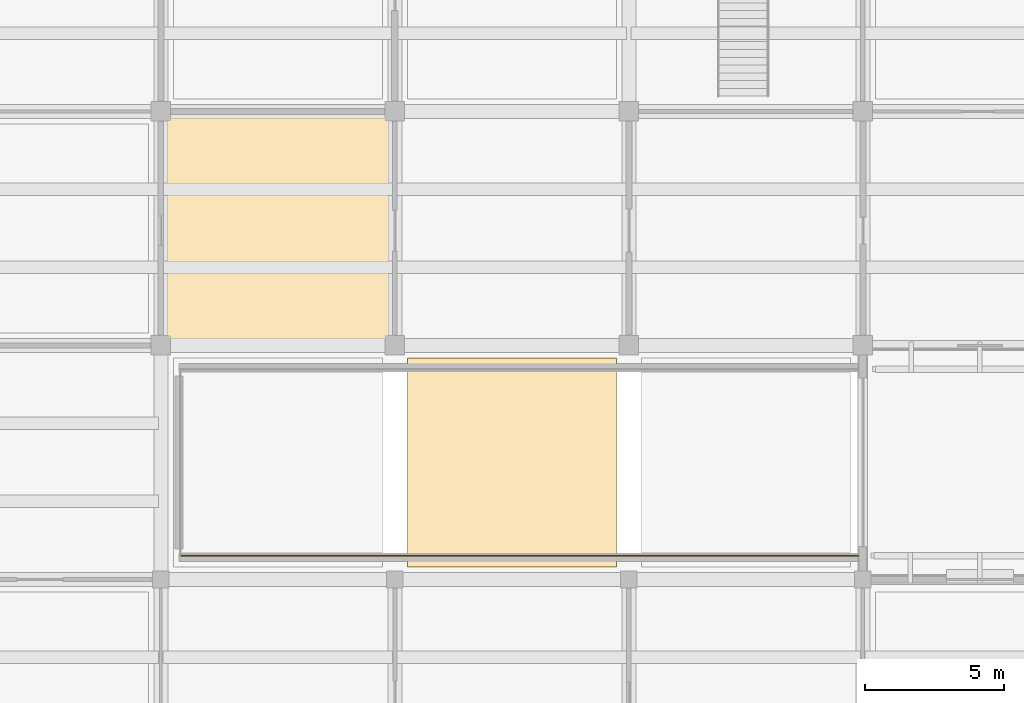
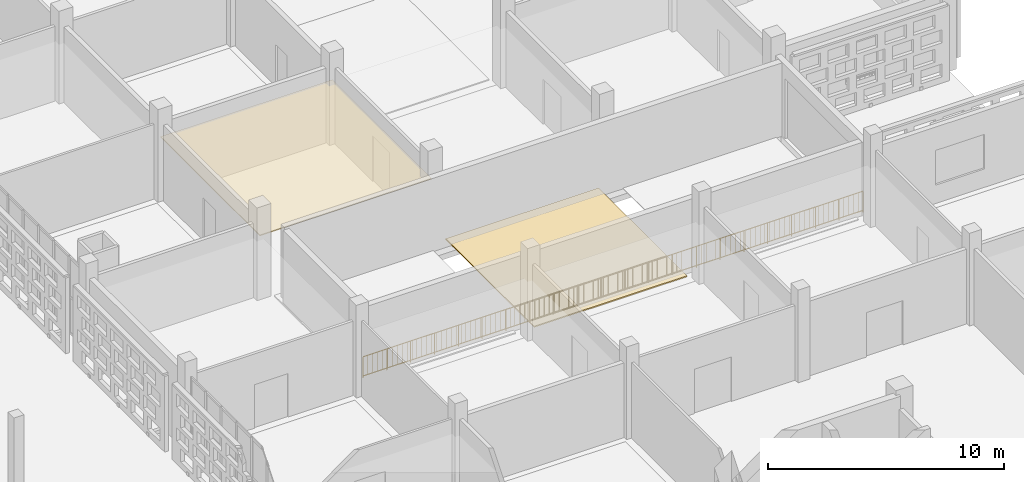
# One storey, part 118 of 129: 2 coverings, 1 railing.
"""IFC4 building model written with IfcOpenShell, lengths in metres."""

import ifcopenshell
import ifcopenshell.guid

model = None  # the IFC model being written
_history = None  # IfcOwnerHistory: only IFC2X3 demands one
_inside = {}  # id of a spatial element -> (the spatial element, [elements in it])
_under = {}  # id of a project, library or spatial element -> (it, [spatial elements below it])
_declared = {}  # id of a project -> (the project, [libraries it declares])
_typed = {}  # id of a type object -> (the type object, [elements of that type])
_made_of = {}  # id of a material, layer set ... -> (it, [elements and type objects made of it])


def new_model(schema):
    """Start an empty IFC model of exactly this schema.

    Asked for "IFC4X3", IfcOpenShell would pick the latest addendum, in which some entities
    have other attributes; the version numbers below select the first issue.
    IFC2X3 requires an IfcOwnerHistory on every rooted entity: one is made here for all.
    """
    global model, _history
    if schema == "IFC4X3":
        model = ifcopenshell.file(schema_version=(4, 3, 0, 0))
    else:
        model = ifcopenshell.file(schema=schema)
    _inside.clear()
    _under.clear()
    _declared.clear()
    _typed.clear()
    _made_of.clear()
    _history = None
    if model.schema == "IFC2X3":
        org = make("IfcOrganization", Name="unknown")
        user = make(
            "IfcPersonAndOrganization",
            ThePerson=make("IfcPerson", FamilyName="unknown"),
            TheOrganization=org,
        )
        app = make(
            "IfcApplication",
            ApplicationDeveloper=org,
            Version="unknown",
            ApplicationFullName="unknown",
            ApplicationIdentifier="unknown",
        )
        _history = make(
            "IfcOwnerHistory",
            OwningUser=user,
            OwningApplication=app,
            ChangeAction="ADDED",
            CreationDate=0,
        )
    return model


def make(cls, **values):
    """One entity of the class cls with the attributes given. An attribute that is None is left unset."""
    return model.create_entity(
        cls, **{name: value for name, value in values.items() if value is not None}
    )


def rooted(cls, **values):
    """An entity with a GlobalId (a new one), such as an element, a storey or a relation."""
    return make(cls, GlobalId=ifcopenshell.guid.new(), OwnerHistory=_history, **values)


def si_unit(unit_type, name, prefix=None):
    """IfcSIUnit, for example si_unit("LENGTHUNIT", "METRE", prefix="MILLI")."""
    return make("IfcSIUnit", UnitType=unit_type, Prefix=prefix, Name=name)


def assignment(units):
    """IfcUnitAssignment: the units of a project."""
    return None if units is None else make("IfcUnitAssignment", Units=units)


def point(xyz):
    """IfcCartesianPoint."""
    return None if xyz is None else make("IfcCartesianPoint", Coordinates=xyz)


def direction(xyz):
    """IfcDirection."""
    return None if xyz is None else make("IfcDirection", DirectionRatios=xyz)


def frame(location, z_axis=None, x_axis=None):
    """IfcAxis2Placement3D, a coordinate frame: its origin and axes. An axis left out is left unset."""
    return make(
        "IfcAxis2Placement3D",
        Location=point(location),
        Axis=direction(z_axis),
        RefDirection=direction(x_axis),
    )


def frame_2d(location, x_axis=None):
    """IfcAxis2Placement2D, a coordinate frame in the plane: its origin and x axis."""
    return make(
        "IfcAxis2Placement2D", Location=point(location), RefDirection=direction(x_axis)
    )


def origin():
    """The frame at (0, 0, 0) with its axes left unset."""
    return frame((0.0, 0.0, 0.0))


def origin_2d():
    """The frame at (0, 0) in the plane with its x axis left unset."""
    return frame_2d((0.0, 0.0))


def place(relative_to, where):
    """IfcLocalPlacement: puts the frame where relative to a parent placement (None: the world)."""
    return make(
        "IfcLocalPlacement", PlacementRelTo=relative_to, RelativePlacement=where
    )


def context(
    kind, dimensions, precision=None, world=None, true_north=None, identifier=None
):
    """IfcGeometricRepresentationContext, for example the 3D "Model" context."""
    return make(
        "IfcGeometricRepresentationContext",
        ContextIdentifier=identifier,
        ContextType=kind,
        CoordinateSpaceDimension=dimensions,
        Precision=precision,
        WorldCoordinateSystem=world,
        TrueNorth=true_north,
    )


def subcontext(parent, identifier, kind, view, scale=None):
    """IfcGeometricRepresentationSubContext, for example "Body" below "Model"."""
    return make(
        "IfcGeometricRepresentationSubContext",
        ContextIdentifier=identifier,
        ContextType=kind,
        ParentContext=parent,
        TargetScale=scale,
        TargetView=view,
    )


def project(units=None, contexts=None):
    """IfcProject with its units and contexts."""
    return rooted(
        "IfcProject",
        Name="project",
        RepresentationContexts=contexts,
        UnitsInContext=assignment(units),
    )


def spatial(cls, under=None, at=None, **own):
    """A site, building, storey or space (cls), placed at a placement, below another one or the project."""
    s = rooted(cls, ObjectPlacement=at, **own)
    if under is not None:
        _under.setdefault(under.id(), (under, []))[1].append(s)
    return s


def profile(cls, at=None, kind="AREA", **sizes):
    """A parametric profile (cls). Its sizes go by their IFC names, for example OverallWidth=200.0."""
    return make(cls, ProfileType=kind, Position=at, **sizes)


def rectangle(**sizes):
    """IfcRectangleProfileDef."""
    return profile("IfcRectangleProfileDef", **sizes)


def circle(**sizes):
    """IfcCircleProfileDef."""
    return profile("IfcCircleProfileDef", **sizes)


def extrude(swept, where, along, depth):
    """IfcExtrudedAreaSolid: the profile swept, set in the frame where, extruded along a direction by depth."""
    return make(
        "IfcExtrudedAreaSolid",
        SweptArea=swept,
        Position=where,
        ExtrudedDirection=direction(along),
        Depth=depth,
    )


def shape(context_of_items, identifier, shape_type, items):
    """IfcShapeRepresentation: the items that make up one representation, for example the "Body"."""
    return make(
        "IfcShapeRepresentation",
        ContextOfItems=context_of_items,
        RepresentationIdentifier=identifier,
        RepresentationType=shape_type,
        Items=items,
    )


def material(Name=None, Category=None):
    """IfcMaterial."""
    return make("IfcMaterial", Name=Name, Category=Category)


def layer(
    of_material, thickness, ventilated=None, Name=None, Category=None, Priority=None
):
    """IfcMaterialLayer: one layer of a wall or slab, of a material (None: an air gap)."""
    return make(
        "IfcMaterialLayer",
        Material=of_material,
        LayerThickness=thickness,
        IsVentilated=ventilated,
        Name=Name,
        Category=Category,
        Priority=Priority,
    )


def layer_set(layers, Name=None):
    """IfcMaterialLayerSet."""
    return make("IfcMaterialLayerSet", MaterialLayers=layers, LayerSetName=Name)


def made_of(thing, what):
    """Note that an element or type object is made of a material, layer set ...; save() writes the relation."""
    if what is not None:
        _made_of.setdefault(what.id(), (what, []))[1].append(thing)
    return thing


def type_object(cls, material=None, **own):
    """A type object (cls), such as IfcWallType, which elements share."""
    return made_of(rooted(cls, **own), material)


def element(
    cls,
    number,
    at=None,
    inside=None,
    cuts=None,
    type_object=None,
    material=None,
    context=None,
    identifier="Body",
    shape_type=None,
    held_by="IfcProductDefinitionShape",
    body=None,
    shapes=None,
    **own,
):
    """One element of the class cls, such as IfcWall. Its Tag is "e" and its number.

    at: its placement. inside: the storey or other place that contains it. cuts: it is an
    opening in that element (IfcRelVoidsElement). A single representation is given by context,
    identifier, shape_type and body (its items); several are given by shapes. held_by: the class
    of the entity that holds the representations. save() writes the other relations.
    """
    e = rooted(cls, Tag="e%d" % number, ObjectPlacement=at, **own)
    if body is not None:
        shapes = [shape(context, identifier, shape_type, body)]
    if shapes is not None:
        e.Representation = make(held_by, Representations=shapes)
    if inside is not None:
        _inside.setdefault(inside.id(), (inside, []))[1].append(e)
    if cuts is not None:
        rooted(
            "IfcRelVoidsElement", RelatingBuildingElement=cuts, RelatedOpeningElement=e
        )
    if type_object is not None:
        _typed.setdefault(type_object.id(), (type_object, []))[1].append(e)
    return made_of(e, material)


def aggregate(whole, parts):
    """IfcRelAggregates: a whole, such as a stair, and the parts it consists of."""
    return rooted("IfcRelAggregates", RelatingObject=whole, RelatedObjects=parts)


def save(model, path):
    """Write the relations noted so far, then the file.

    IfcRelAggregates (storeys below a building ...), IfcRelContainedInSpatialStructure (elements
    in a storey), IfcRelDefinesByType, IfcRelAssociatesMaterial and IfcRelDeclares: one each for
    every whole, place, type object, material and project.
    """
    for whole, parts in _under.values():
        aggregate(whole, parts)
    for where, things in _inside.values():
        rooted(
            "IfcRelContainedInSpatialStructure",
            RelatedElements=things,
            RelatingStructure=where,
        )
    for kind, things in _typed.values():
        rooted("IfcRelDefinesByType", RelatedObjects=things, RelatingType=kind)
    for what, things in _made_of.values():
        rooted("IfcRelAssociatesMaterial", RelatedObjects=things, RelatingMaterial=what)
    for by, libraries in _declared.values():
        rooted("IfcRelDeclares", RelatingContext=by, RelatedDefinitions=libraries)
    model.write(path)


model = new_model("IFC4")

# Units and contexts
model_context = context("Model", 3, precision=1e-05, world=origin(), true_north=direction((0.0, 1.0)))
body_context = subcontext(model_context, "Body", "Model", "MODEL_VIEW")
ifc_project = project(units=[si_unit("LENGTHUNIT", "METRE"), si_unit("AREAUNIT", "SQUARE_METRE"), si_unit("VOLUMEUNIT", "CUBIC_METRE"), si_unit("PLANEANGLEUNIT", "RADIAN"), si_unit("MASSUNIT", "GRAM", prefix="KILO")], contexts=[model_context])

# Site, building, storey
site_placement = place(None, origin())
site = spatial("IfcSite", under=ifc_project, at=site_placement, CompositionType="ELEMENT")
building_placement = place(site_placement, origin())
building = spatial("IfcBuilding", under=site, at=building_placement, Name="Varnapada Polytechnic", CompositionType="ELEMENT")
storey_placement = place(building_placement, origin())
storey = spatial("IfcBuildingStorey", under=building, at=storey_placement, Name="L00", CompositionType="ELEMENT", Elevation=0.0)

# Coverings
ifc_material_1 = material(Name="Anti-Static Raised Laboratory Flooring")
ifc_layer_1 = layer(ifc_material_1, 0.06005859375)
ifc_layer_set_1 = layer_set([ifc_layer_1], Name="Anti-Static Raised Laboratory Flooring")
covering_type_1 = type_object("IfcCoveringType", Name="Floor Finish FLR-02", PredefinedType="FLOORING", material=ifc_layer_set_1)
covering_1_placement = place(storey_placement, frame((155.39990234375, 54.60009765625, 0.0), z_axis=(0.0, 0.0, 1.0), x_axis=(1.0, 0.0, 0.0)))
element("IfcCovering", 1, at=covering_1_placement, inside=storey, type_object=covering_type_1, Name="L00 floor finish panel (19,7)", PredefinedType="FLOORING", context=body_context, shape_type="SweptSolid", body=[
    extrude(rectangle(XDim=7.5, YDim=7.5, at=origin_2d()), origin(), (0.0, 0.0, 1.0), 0.06005859375),
])
ifc_material_2 = material(Name="Perforated Timber Slatted Baffle Ceiling", Category="wood")
ifc_layer_2 = layer(ifc_material_2, 0.050048828125)
ifc_layer_set_2 = layer_set([ifc_layer_2], Name="Perforated Timber Slatted Baffle Ceiling")
covering_type_2 = type_object("IfcCoveringType", Name="Suspended Ceiling CLG-02", PredefinedType="CEILING", material=ifc_layer_set_2)
covering_2_placement = place(storey_placement, frame((147.0, 63.0, 3.02490234375), z_axis=(0.0, 0.0, 1.0), x_axis=(1.0, 0.0, 0.0)))
element("IfcCovering", 2, at=covering_2_placement, inside=storey, type_object=covering_type_2, Name="L00 suspended acoustic ceiling (18,8)", PredefinedType="CEILING", context=body_context, shape_type="SweptSolid", body=[
    extrude(rectangle(XDim=8.419921875, YDim=8.419921875, at=origin_2d()), origin(), (0.0, 0.0, 1.0), 0.050048828125),
])

# Railing
ifc_material_3 = material(Name="Painted galvanized steel", Category="steel")
railing_type = type_object("IfcRailingType", Name="Terrace Guard Rail GRD-01", PredefinedType="BALUSTRADE", material=ifc_material_3)
railing_placement = place(storey_placement, frame((143.5, 51.25, 0.0)))
element("IfcRailing", 3, at=railing_placement, inside=storey, type_object=railing_type, Name="L00 vehicle ramp well guard 1", PredefinedType="BALUSTRADE", context=body_context, shape_type="SweptSolid", body=[
    extrude(circle(Radius=0.02392578125, at=origin_2d()), frame((0.0, 0.0, 1.09619140625), z_axis=(1.0, 0.0, 0.0), x_axis=(0.0, 1.0, 0.0)), (0.0, 0.0, 1.0), 24.5),
    extrude(circle(Radius=0.02392578125, at=origin_2d()), frame((0.0, 0.0, 0.10009765625), z_axis=(1.0, 0.0, 0.0), x_axis=(0.0, 1.0, 0.0)), (0.0, 0.0, 1.0), 24.5),
    extrude(circle(Radius=0.02099609375, at=origin_2d()), origin(), (0.0, 0.0, 1.0), 1.072021484375),
    extrude(circle(Radius=0.02099609375, at=origin_2d()), frame((1.166748046875, 0.0, 0.0)), (0.0, 0.0, 1.0), 1.072021484375),
    extrude(circle(Radius=0.02099609375, at=origin_2d()), frame((2.333251953125, 0.0, 0.0)), (0.0, 0.0, 1.0), 1.072021484375),
    extrude(circle(Radius=0.02099609375, at=origin_2d()), frame((3.5, 0.0, 0.0)), (0.0, 0.0, 1.0), 1.072021484375),
    extrude(circle(Radius=0.02099609375, at=origin_2d()), frame((4.666748046875, 0.0, 0.0)), (0.0, 0.0, 1.0), 1.072021484375),
    extrude(circle(Radius=0.02099609375, at=origin_2d()), frame((5.833251953125, 0.0, 0.0)), (0.0, 0.0, 1.0), 1.072021484375),
    extrude(circle(Radius=0.02099609375, at=origin_2d()), frame((7.0, 0.0, 0.0)), (0.0, 0.0, 1.0), 1.072021484375),
    extrude(circle(Radius=0.02099609375, at=origin_2d()), frame((8.166748046875, 0.0, 0.0)), (0.0, 0.0, 1.0), 1.072021484375),
    extrude(circle(Radius=0.02099609375, at=origin_2d()), frame((9.333251953125, 0.0, 0.0)), (0.0, 0.0, 1.0), 1.072021484375),
    extrude(circle(Radius=0.02099609375, at=origin_2d()), frame((10.5, 0.0, 0.0)), (0.0, 0.0, 1.0), 1.072021484375),
    extrude(circle(Radius=0.02099609375, at=origin_2d()), frame((11.666748046875, 0.0, 0.0)), (0.0, 0.0, 1.0), 1.072021484375),
    extrude(circle(Radius=0.02099609375, at=origin_2d()), frame((12.833251953125, 0.0, 0.0)), (0.0, 0.0, 1.0), 1.072021484375),
    extrude(circle(Radius=0.02099609375, at=origin_2d()), frame((14.0, 0.0, 0.0)), (0.0, 0.0, 1.0), 1.072021484375),
    extrude(circle(Radius=0.02099609375, at=origin_2d()), frame((15.166748046875, 0.0, 0.0)), (0.0, 0.0, 1.0), 1.072021484375),
    extrude(circle(Radius=0.02099609375, at=origin_2d()), frame((16.333251953125, 0.0, 0.0)), (0.0, 0.0, 1.0), 1.072021484375),
    extrude(circle(Radius=0.02099609375, at=origin_2d()), frame((17.5, 0.0, 0.0)), (0.0, 0.0, 1.0), 1.072021484375),
    extrude(circle(Radius=0.02099609375, at=origin_2d()), frame((18.666748046875, 0.0, 0.0)), (0.0, 0.0, 1.0), 1.072021484375),
    extrude(circle(Radius=0.02099609375, at=origin_2d()), frame((19.833251953125, 0.0, 0.0)), (0.0, 0.0, 1.0), 1.072021484375),
    extrude(circle(Radius=0.02099609375, at=origin_2d()), frame((21.0, 0.0, 0.0)), (0.0, 0.0, 1.0), 1.072021484375),
    extrude(circle(Radius=0.02099609375, at=origin_2d()), frame((22.166748046875, 0.0, 0.0)), (0.0, 0.0, 1.0), 1.072021484375),
    extrude(circle(Radius=0.02099609375, at=origin_2d()), frame((23.333251953125, 0.0, 0.0)), (0.0, 0.0, 1.0), 1.072021484375),
    extrude(circle(Radius=0.02099609375, at=origin_2d()), frame((24.5, 0.0, 0.0)), (0.0, 0.0, 1.0), 1.072021484375),
    extrude(circle(Radius=0.010009765625, at=origin_2d()), frame((0.240234375, 0.0, 0.10009765625)), (0.0, 0.0, 1.0), 0.971923828125),
    extrude(circle(Radius=0.010009765625, at=origin_2d()), frame((0.48046875, 0.0, 0.10009765625)), (0.0, 0.0, 1.0), 0.971923828125),
    extrude(circle(Radius=0.010009765625, at=origin_2d()), frame((0.720703125, 0.0, 0.10009765625)), (0.0, 0.0, 1.0), 0.971923828125),
    extrude(circle(Radius=0.010009765625, at=origin_2d()), frame((0.960693359375, 0.0, 0.10009765625)), (0.0, 0.0, 1.0), 0.971923828125),
    extrude(circle(Radius=0.010009765625, at=origin_2d()), frame((1.200927734375, 0.0, 0.10009765625)), (0.0, 0.0, 1.0), 0.971923828125),
    extrude(circle(Radius=0.010009765625, at=origin_2d()), frame((1.441162109375, 0.0, 0.10009765625)), (0.0, 0.0, 1.0), 0.971923828125),
    extrude(circle(Radius=0.010009765625, at=origin_2d()), frame((1.681396484375, 0.0, 0.10009765625)), (0.0, 0.0, 1.0), 0.971923828125),
    extrude(circle(Radius=0.010009765625, at=origin_2d()), frame((1.921630859375, 0.0, 0.10009765625)), (0.0, 0.0, 1.0), 0.971923828125),
    extrude(circle(Radius=0.010009765625, at=origin_2d()), frame((2.161865234375, 0.0, 0.10009765625)), (0.0, 0.0, 1.0), 0.971923828125),
    extrude(circle(Radius=0.010009765625, at=origin_2d()), frame((2.40185546875, 0.0, 0.10009765625)), (0.0, 0.0, 1.0), 0.971923828125),
    extrude(circle(Radius=0.010009765625, at=origin_2d()), frame((2.64208984375, 0.0, 0.10009765625)), (0.0, 0.0, 1.0), 0.971923828125),
    extrude(circle(Radius=0.010009765625, at=origin_2d()), frame((2.88232421875, 0.0, 0.10009765625)), (0.0, 0.0, 1.0), 0.971923828125),
    extrude(circle(Radius=0.010009765625, at=origin_2d()), frame((3.12255859375, 0.0, 0.10009765625)), (0.0, 0.0, 1.0), 0.971923828125),
    extrude(circle(Radius=0.010009765625, at=origin_2d()), frame((3.36279296875, 0.0, 0.10009765625)), (0.0, 0.0, 1.0), 0.971923828125),
    extrude(circle(Radius=0.010009765625, at=origin_2d()), frame((3.60302734375, 0.0, 0.10009765625)), (0.0, 0.0, 1.0), 0.971923828125),
    extrude(circle(Radius=0.010009765625, at=origin_2d()), frame((3.843017578125, 0.0, 0.10009765625)), (0.0, 0.0, 1.0), 0.971923828125),
    extrude(circle(Radius=0.010009765625, at=origin_2d()), frame((4.083251953125, 0.0, 0.10009765625)), (0.0, 0.0, 1.0), 0.971923828125),
    extrude(circle(Radius=0.010009765625, at=origin_2d()), frame((4.323486328125, 0.0, 0.10009765625)), (0.0, 0.0, 1.0), 0.971923828125),
    extrude(circle(Radius=0.010009765625, at=origin_2d()), frame((4.563720703125, 0.0, 0.10009765625)), (0.0, 0.0, 1.0), 0.971923828125),
    extrude(circle(Radius=0.010009765625, at=origin_2d()), frame((4.803955078125, 0.0, 0.10009765625)), (0.0, 0.0, 1.0), 0.971923828125),
    extrude(circle(Radius=0.010009765625, at=origin_2d()), frame((5.044189453125, 0.0, 0.10009765625)), (0.0, 0.0, 1.0), 0.971923828125),
    extrude(circle(Radius=0.010009765625, at=origin_2d()), frame((5.284423828125, 0.0, 0.10009765625)), (0.0, 0.0, 1.0), 0.971923828125),
    extrude(circle(Radius=0.010009765625, at=origin_2d()), frame((5.5244140625, 0.0, 0.10009765625)), (0.0, 0.0, 1.0), 0.971923828125),
    extrude(circle(Radius=0.010009765625, at=origin_2d()), frame((5.7646484375, 0.0, 0.10009765625)), (0.0, 0.0, 1.0), 0.971923828125),
    extrude(circle(Radius=0.010009765625, at=origin_2d()), frame((6.0048828125, 0.0, 0.10009765625)), (0.0, 0.0, 1.0), 0.971923828125),
    extrude(circle(Radius=0.010009765625, at=origin_2d()), frame((6.2451171875, 0.0, 0.10009765625)), (0.0, 0.0, 1.0), 0.971923828125),
    extrude(circle(Radius=0.010009765625, at=origin_2d()), frame((6.4853515625, 0.0, 0.10009765625)), (0.0, 0.0, 1.0), 0.971923828125),
    extrude(circle(Radius=0.010009765625, at=origin_2d()), frame((6.7255859375, 0.0, 0.10009765625)), (0.0, 0.0, 1.0), 0.971923828125),
    extrude(circle(Radius=0.010009765625, at=origin_2d()), frame((6.965576171875, 0.0, 0.10009765625)), (0.0, 0.0, 1.0), 0.971923828125),
    extrude(circle(Radius=0.010009765625, at=origin_2d()), frame((7.205810546875, 0.0, 0.10009765625)), (0.0, 0.0, 1.0), 0.971923828125),
    extrude(circle(Radius=0.010009765625, at=origin_2d()), frame((7.446044921875, 0.0, 0.10009765625)), (0.0, 0.0, 1.0), 0.971923828125),
    extrude(circle(Radius=0.010009765625, at=origin_2d()), frame((7.686279296875, 0.0, 0.10009765625)), (0.0, 0.0, 1.0), 0.971923828125),
    extrude(circle(Radius=0.010009765625, at=origin_2d()), frame((7.926513671875, 0.0, 0.10009765625)), (0.0, 0.0, 1.0), 0.971923828125),
    extrude(circle(Radius=0.010009765625, at=origin_2d()), frame((8.166748046875, 0.0, 0.10009765625)), (0.0, 0.0, 1.0), 0.971923828125),
    extrude(circle(Radius=0.010009765625, at=origin_2d()), frame((8.406982421875, 0.0, 0.10009765625)), (0.0, 0.0, 1.0), 0.971923828125),
    extrude(circle(Radius=0.010009765625, at=origin_2d()), frame((8.64697265625, 0.0, 0.10009765625)), (0.0, 0.0, 1.0), 0.971923828125),
    extrude(circle(Radius=0.010009765625, at=origin_2d()), frame((8.88720703125, 0.0, 0.10009765625)), (0.0, 0.0, 1.0), 0.971923828125),
    extrude(circle(Radius=0.010009765625, at=origin_2d()), frame((9.12744140625, 0.0, 0.10009765625)), (0.0, 0.0, 1.0), 0.971923828125),
    extrude(circle(Radius=0.010009765625, at=origin_2d()), frame((9.36767578125, 0.0, 0.10009765625)), (0.0, 0.0, 1.0), 0.971923828125),
    extrude(circle(Radius=0.010009765625, at=origin_2d()), frame((9.60791015625, 0.0, 0.10009765625)), (0.0, 0.0, 1.0), 0.971923828125),
    extrude(circle(Radius=0.010009765625, at=origin_2d()), frame((9.84814453125, 0.0, 0.10009765625)), (0.0, 0.0, 1.0), 0.971923828125),
    extrude(circle(Radius=0.010009765625, at=origin_2d()), frame((10.088134765625, 0.0, 0.10009765625)), (0.0, 0.0, 1.0), 0.971923828125),
    extrude(circle(Radius=0.010009765625, at=origin_2d()), frame((10.328369140625, 0.0, 0.10009765625)), (0.0, 0.0, 1.0), 0.971923828125),
    extrude(circle(Radius=0.010009765625, at=origin_2d()), frame((10.568603515625, 0.0, 0.10009765625)), (0.0, 0.0, 1.0), 0.971923828125),
    extrude(circle(Radius=0.010009765625, at=origin_2d()), frame((10.808837890625, 0.0, 0.10009765625)), (0.0, 0.0, 1.0), 0.971923828125),
    extrude(circle(Radius=0.010009765625, at=origin_2d()), frame((11.049072265625, 0.0, 0.10009765625)), (0.0, 0.0, 1.0), 0.971923828125),
    extrude(circle(Radius=0.010009765625, at=origin_2d()), frame((11.289306640625, 0.0, 0.10009765625)), (0.0, 0.0, 1.0), 0.971923828125),
    extrude(circle(Radius=0.010009765625, at=origin_2d()), frame((11.529296875, 0.0, 0.10009765625)), (0.0, 0.0, 1.0), 0.971923828125),
    extrude(circle(Radius=0.010009765625, at=origin_2d()), frame((11.76953125, 0.0, 0.10009765625)), (0.0, 0.0, 1.0), 0.971923828125),
    extrude(circle(Radius=0.010009765625, at=origin_2d()), frame((12.009765625, 0.0, 0.10009765625)), (0.0, 0.0, 1.0), 0.971923828125),
    extrude(circle(Radius=0.010009765625, at=origin_2d()), frame((12.25, 0.0, 0.10009765625)), (0.0, 0.0, 1.0), 0.971923828125),
    extrude(circle(Radius=0.010009765625, at=origin_2d()), frame((12.490234375, 0.0, 0.10009765625)), (0.0, 0.0, 1.0), 0.971923828125),
    extrude(circle(Radius=0.010009765625, at=origin_2d()), frame((12.73046875, 0.0, 0.10009765625)), (0.0, 0.0, 1.0), 0.971923828125),
    extrude(circle(Radius=0.010009765625, at=origin_2d()), frame((12.970703125, 0.0, 0.10009765625)), (0.0, 0.0, 1.0), 0.971923828125),
    extrude(circle(Radius=0.010009765625, at=origin_2d()), frame((13.210693359375, 0.0, 0.10009765625)), (0.0, 0.0, 1.0), 0.971923828125),
    extrude(circle(Radius=0.010009765625, at=origin_2d()), frame((13.450927734375, 0.0, 0.10009765625)), (0.0, 0.0, 1.0), 0.971923828125),
    extrude(circle(Radius=0.010009765625, at=origin_2d()), frame((13.691162109375, 0.0, 0.10009765625)), (0.0, 0.0, 1.0), 0.971923828125),
    extrude(circle(Radius=0.010009765625, at=origin_2d()), frame((13.931396484375, 0.0, 0.10009765625)), (0.0, 0.0, 1.0), 0.971923828125),
    extrude(circle(Radius=0.010009765625, at=origin_2d()), frame((14.171630859375, 0.0, 0.10009765625)), (0.0, 0.0, 1.0), 0.971923828125),
    extrude(circle(Radius=0.010009765625, at=origin_2d()), frame((14.411865234375, 0.0, 0.10009765625)), (0.0, 0.0, 1.0), 0.971923828125),
    extrude(circle(Radius=0.010009765625, at=origin_2d()), frame((14.65185546875, 0.0, 0.10009765625)), (0.0, 0.0, 1.0), 0.971923828125),
    extrude(circle(Radius=0.010009765625, at=origin_2d()), frame((14.89208984375, 0.0, 0.10009765625)), (0.0, 0.0, 1.0), 0.971923828125),
    extrude(circle(Radius=0.010009765625, at=origin_2d()), frame((15.13232421875, 0.0, 0.10009765625)), (0.0, 0.0, 1.0), 0.971923828125),
    extrude(circle(Radius=0.010009765625, at=origin_2d()), frame((15.37255859375, 0.0, 0.10009765625)), (0.0, 0.0, 1.0), 0.971923828125),
    extrude(circle(Radius=0.010009765625, at=origin_2d()), frame((15.61279296875, 0.0, 0.10009765625)), (0.0, 0.0, 1.0), 0.971923828125),
    extrude(circle(Radius=0.010009765625, at=origin_2d()), frame((15.85302734375, 0.0, 0.10009765625)), (0.0, 0.0, 1.0), 0.971923828125),
    extrude(circle(Radius=0.010009765625, at=origin_2d()), frame((16.093017578125, 0.0, 0.10009765625)), (0.0, 0.0, 1.0), 0.971923828125),
    extrude(circle(Radius=0.010009765625, at=origin_2d()), frame((16.333251953125, 0.0, 0.10009765625)), (0.0, 0.0, 1.0), 0.971923828125),
    extrude(circle(Radius=0.010009765625, at=origin_2d()), frame((16.573486328125, 0.0, 0.10009765625)), (0.0, 0.0, 1.0), 0.971923828125),
    extrude(circle(Radius=0.010009765625, at=origin_2d()), frame((16.813720703125, 0.0, 0.10009765625)), (0.0, 0.0, 1.0), 0.971923828125),
    extrude(circle(Radius=0.010009765625, at=origin_2d()), frame((17.053955078125, 0.0, 0.10009765625)), (0.0, 0.0, 1.0), 0.971923828125),
    extrude(circle(Radius=0.010009765625, at=origin_2d()), frame((17.294189453125, 0.0, 0.10009765625)), (0.0, 0.0, 1.0), 0.971923828125),
    extrude(circle(Radius=0.010009765625, at=origin_2d()), frame((17.534423828125, 0.0, 0.10009765625)), (0.0, 0.0, 1.0), 0.971923828125),
    extrude(circle(Radius=0.010009765625, at=origin_2d()), frame((17.7744140625, 0.0, 0.10009765625)), (0.0, 0.0, 1.0), 0.971923828125),
    extrude(circle(Radius=0.010009765625, at=origin_2d()), frame((18.0146484375, 0.0, 0.10009765625)), (0.0, 0.0, 1.0), 0.971923828125),
    extrude(circle(Radius=0.010009765625, at=origin_2d()), frame((18.2548828125, 0.0, 0.10009765625)), (0.0, 0.0, 1.0), 0.971923828125),
    extrude(circle(Radius=0.010009765625, at=origin_2d()), frame((18.4951171875, 0.0, 0.10009765625)), (0.0, 0.0, 1.0), 0.971923828125),
    extrude(circle(Radius=0.010009765625, at=origin_2d()), frame((18.7353515625, 0.0, 0.10009765625)), (0.0, 0.0, 1.0), 0.971923828125),
    extrude(circle(Radius=0.010009765625, at=origin_2d()), frame((18.9755859375, 0.0, 0.10009765625)), (0.0, 0.0, 1.0), 0.971923828125),
    extrude(circle(Radius=0.010009765625, at=origin_2d()), frame((19.215576171875, 0.0, 0.10009765625)), (0.0, 0.0, 1.0), 0.971923828125),
    extrude(circle(Radius=0.010009765625, at=origin_2d()), frame((19.455810546875, 0.0, 0.10009765625)), (0.0, 0.0, 1.0), 0.971923828125),
    extrude(circle(Radius=0.010009765625, at=origin_2d()), frame((19.696044921875, 0.0, 0.10009765625)), (0.0, 0.0, 1.0), 0.971923828125),
    extrude(circle(Radius=0.010009765625, at=origin_2d()), frame((19.936279296875, 0.0, 0.10009765625)), (0.0, 0.0, 1.0), 0.971923828125),
    extrude(circle(Radius=0.010009765625, at=origin_2d()), frame((20.176513671875, 0.0, 0.10009765625)), (0.0, 0.0, 1.0), 0.971923828125),
    extrude(circle(Radius=0.010009765625, at=origin_2d()), frame((20.416748046875, 0.0, 0.10009765625)), (0.0, 0.0, 1.0), 0.971923828125),
    extrude(circle(Radius=0.010009765625, at=origin_2d()), frame((20.656982421875, 0.0, 0.10009765625)), (0.0, 0.0, 1.0), 0.971923828125),
    extrude(circle(Radius=0.010009765625, at=origin_2d()), frame((20.89697265625, 0.0, 0.10009765625)), (0.0, 0.0, 1.0), 0.971923828125),
    extrude(circle(Radius=0.010009765625, at=origin_2d()), frame((21.13720703125, 0.0, 0.10009765625)), (0.0, 0.0, 1.0), 0.971923828125),
    extrude(circle(Radius=0.010009765625, at=origin_2d()), frame((21.37744140625, 0.0, 0.10009765625)), (0.0, 0.0, 1.0), 0.971923828125),
    extrude(circle(Radius=0.010009765625, at=origin_2d()), frame((21.61767578125, 0.0, 0.10009765625)), (0.0, 0.0, 1.0), 0.971923828125),
    extrude(circle(Radius=0.010009765625, at=origin_2d()), frame((21.85791015625, 0.0, 0.10009765625)), (0.0, 0.0, 1.0), 0.971923828125),
    extrude(circle(Radius=0.010009765625, at=origin_2d()), frame((22.09814453125, 0.0, 0.10009765625)), (0.0, 0.0, 1.0), 0.971923828125),
    extrude(circle(Radius=0.010009765625, at=origin_2d()), frame((22.338134765625, 0.0, 0.10009765625)), (0.0, 0.0, 1.0), 0.971923828125),
    extrude(circle(Radius=0.010009765625, at=origin_2d()), frame((22.578369140625, 0.0, 0.10009765625)), (0.0, 0.0, 1.0), 0.971923828125),
    extrude(circle(Radius=0.010009765625, at=origin_2d()), frame((22.818603515625, 0.0, 0.10009765625)), (0.0, 0.0, 1.0), 0.971923828125),
    extrude(circle(Radius=0.010009765625, at=origin_2d()), frame((23.058837890625, 0.0, 0.10009765625)), (0.0, 0.0, 1.0), 0.971923828125),
    extrude(circle(Radius=0.010009765625, at=origin_2d()), frame((23.299072265625, 0.0, 0.10009765625)), (0.0, 0.0, 1.0), 0.971923828125),
    extrude(circle(Radius=0.010009765625, at=origin_2d()), frame((23.539306640625, 0.0, 0.10009765625)), (0.0, 0.0, 1.0), 0.971923828125),
    extrude(circle(Radius=0.010009765625, at=origin_2d()), frame((23.779296875, 0.0, 0.10009765625)), (0.0, 0.0, 1.0), 0.971923828125),
    extrude(circle(Radius=0.010009765625, at=origin_2d()), frame((24.01953125, 0.0, 0.10009765625)), (0.0, 0.0, 1.0), 0.971923828125),
    extrude(circle(Radius=0.010009765625, at=origin_2d()), frame((24.259765625, 0.0, 0.10009765625)), (0.0, 0.0, 1.0), 0.971923828125),
])

save(model, "model.ifc")
